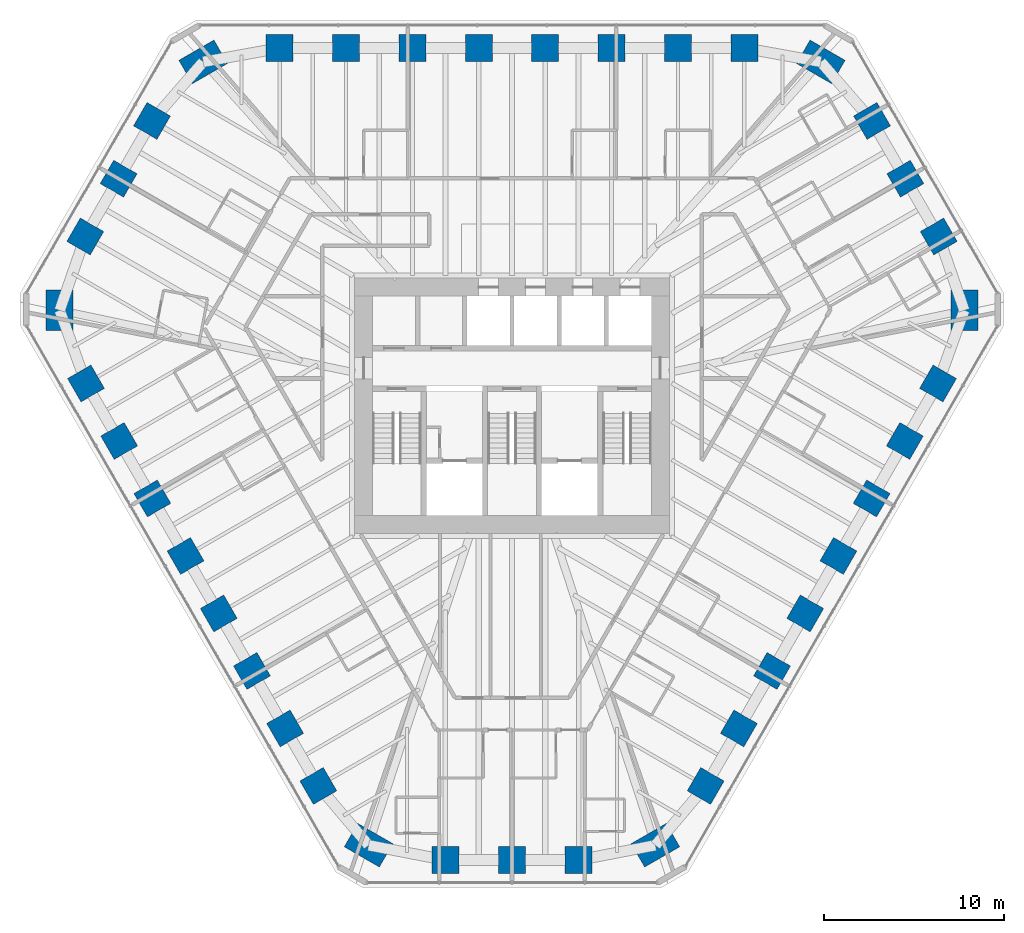
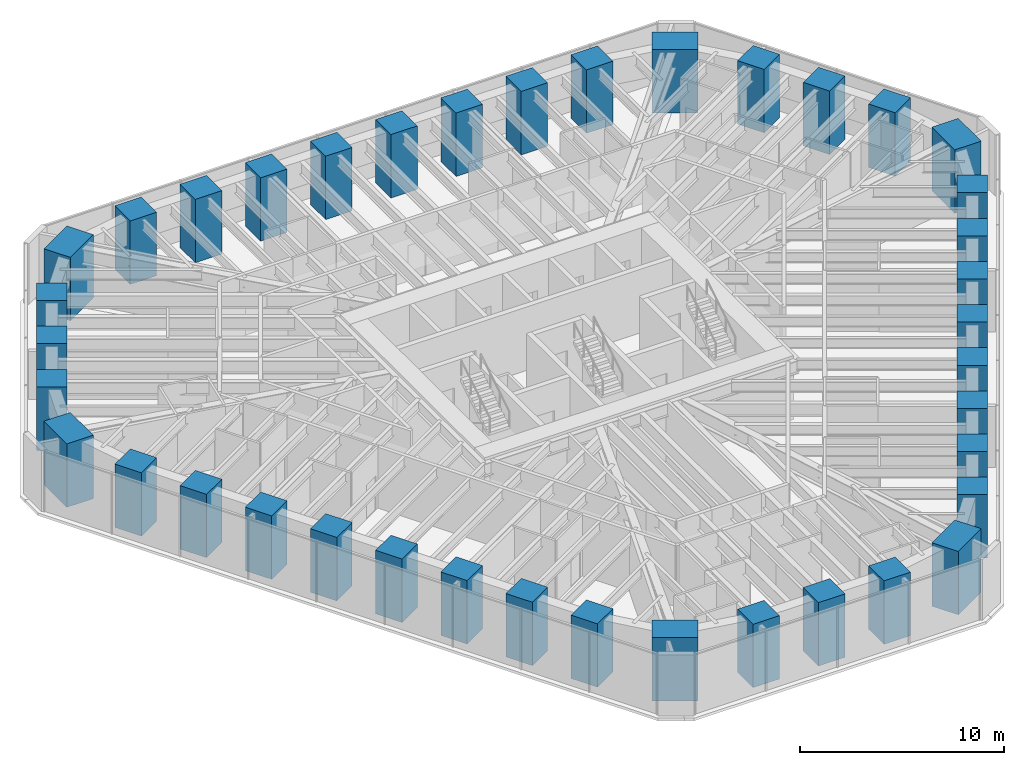
# One storey, part 1 of 17: 39 columns.
"""IFC4 building model written with IfcOpenShell, lengths in metres."""

from ifc_helpers import new_model, si_unit, direction, frame, origin, origin_2d, place, context, subcontext, project, spatial, rectangle, extrude, material, material_profile, profile_set, type_object, element, save


model = new_model("IFC4")

# Units and contexts
model_context = context("Model", 3, precision=1e-05, world=origin(), true_north=direction((0.0, 1.0)))
body_context = subcontext(model_context, "Body", "Model", "MODEL_VIEW")
ifc_project = project(units=[si_unit("LENGTHUNIT", "METRE"), si_unit("AREAUNIT", "SQUARE_METRE"), si_unit("VOLUMEUNIT", "CUBIC_METRE"), si_unit("PLANEANGLEUNIT", "RADIAN"), si_unit("MASSUNIT", "GRAM", prefix="KILO")], contexts=[model_context])

# Site, building, storey
site_placement = place(None, origin())
site = spatial("IfcSite", under=ifc_project, at=site_placement, CompositionType="ELEMENT")
building_placement = place(site_placement, origin())
building = spatial("IfcBuilding", under=site, at=building_placement, Name="Sandreach Pilgrim Tower", CompositionType="ELEMENT")
storey_placement = place(building_placement, frame((0.0, 0.0, 217.39990234375)))
storey = spatial("IfcBuildingStorey", under=building, at=storey_placement, Name="L54", CompositionType="ELEMENT", Elevation=217.39990234375)

# Columns
ifc_material_1 = material(Name="Concrete 10000 psi", Category="concrete")
ifc_material_profile_1 = material_profile(ifc_material_1, rectangle(XDim=1.5, YDim=1.5, at=origin_2d()), Name="RC1500X1500")
ifc_profile_set_1 = profile_set([ifc_material_profile_1], Name="Concrete 10000 psi")
column_type_1 = type_object("IfcColumnType", Name="Tube column RC1500X1500", PredefinedType="COLUMN", material=ifc_profile_set_1)
for number, where, z_axis, x_axis, name in (
    (1, (-12.923828125, 19.900146484375, 0.0), (0.0, 0.0, 1.0), (0.0, 1.0, 0.0), "COL L54 T01"),
    (2, (-9.231201171875, 19.900146484375, 0.0), (0.0, 0.0, 1.0), (0.0, 1.0, 0.0), "COL L54 T02"),
    (3, (-5.538818359375, 19.900146484375, 0.0), (0.0, 0.0, 1.0), (0.0, 1.0, 0.0), "COL L54 T03"),
    (4, (-1.84619140625, 19.900146484375, 0.0), (0.0, 0.0, 1.0), (0.0, 1.0, 0.0), "COL L54 T04"),
    (5, (1.84619140625, 19.900146484375, 0.0), (0.0, 0.0, 1.0), (0.0, 1.0, 0.0), "COL L54 T05"),
    (6, (5.538818359375, 19.900146484375, 0.0), (0.0, 0.0, 1.0), (0.0, 1.0, 0.0), "COL L54 T06"),
    (7, (9.231201171875, 19.900146484375, 0.0), (0.0, 0.0, 1.0), (0.0, 1.0, 0.0), "COL L54 T07"),
    (8, (12.923828125, 19.900146484375, 0.0), (0.0, 0.0, 1.0), (0.0, 1.0, 0.0), "COL L54 T08"),
    (9, (20.025146484375, 15.845947265625, 0.0), (0.0, 0.0, 1.0), (0.866025403784, 0.5, 0.0), "COL L54 T10"),
    (10, (21.88037109375, 12.632568359375, 0.0), (0.0, 0.0, 1.0), (0.866025403784, 0.5, 0.0), "COL L54 T11"),
    (11, (23.7353515625, 9.419189453125, 0.0), (0.0, 0.0, 1.0), (0.866025403784, 0.5, 0.0), "COL L54 T12"),
    (12, (23.69580078125, 1.2421875, 0.0), (0.0, 0.0, 1.0), (0.866025403784, -0.5, 0.0), "COL L54 T14"),
    (13, (21.849609375, -1.95556640625, 0.0), (0.0, 0.0, 1.0), (0.866025403784, -0.5, 0.0), "COL L54 T15"),
    (14, (20.00341796875, -5.1533203125, 0.0), (0.0, 0.0, 1.0), (0.866025403784, -0.5, 0.0), "COL L54 T16"),
    (15, (18.1572265625, -8.35107421875, 0.0), (0.0, 0.0, 1.0), (0.866025403784, -0.5, 0.0), "COL L54 T17"),
    (16, (16.310791015625, -11.548828125, 0.0), (0.0, 0.0, 1.0), (0.866025403784, -0.5, 0.0), "COL L54 T18"),
    (17, (14.464599609375, -14.746826171875, 0.0), (0.0, 0.0, 1.0), (0.866025403784, -0.5, 0.0), "COL L54 T19"),
    (18, (12.618408203125, -17.944580078125, 0.0), (0.0, 0.0, 1.0), (0.866025403784, -0.5, 0.0), "COL L54 T20"),
    (19, (10.772216796875, -21.142333984375, 0.0), (0.0, 0.0, 1.0), (0.866025403784, -0.5, 0.0), "COL L54 T21"),
    (20, (3.71044921875, -25.26513671875, 0.0), (0.0, 0.0, 1.0), (0.0, -1.0, 0.0), "COL L54 T23"),
    (21, (0.0, -25.26513671875, 0.0), (0.0, 0.0, 1.0), (0.0, -1.0, 0.0), "COL L54 T24"),
    (22, (-3.71044921875, -25.26513671875, 0.0), (0.0, 0.0, 1.0), (0.0, -1.0, 0.0), "COL L54 T25"),
    (23, (-10.772216796875, -21.142333984375, 0.0), (0.0, 0.0, 1.0), (-0.866025403784, -0.5, 0.0), "COL L54 T27"),
    (24, (-12.618408203125, -17.944580078125, 0.0), (0.0, 0.0, 1.0), (-0.866025403784, -0.5, 0.0), "COL L54 T28"),
    (25, (-14.464599609375, -14.746826171875, 0.0), (0.0, 0.0, 1.0), (-0.866025403784, -0.5, 0.0), "COL L54 T29"),
    (26, (-16.310791015625, -11.548828125, 0.0), (0.0, 0.0, 1.0), (-0.866025403784, -0.5, 0.0), "COL L54 T30"),
    (27, (-18.1572265625, -8.35107421875, 0.0), (0.0, 0.0, 1.0), (-0.866025403784, -0.5, 0.0), "COL L54 T31"),
    (28, (-20.00341796875, -5.1533203125, 0.0), (0.0, 0.0, 1.0), (-0.866025403784, -0.5, 0.0), "COL L54 T32"),
    (29, (-21.849609375, -1.95556640625, 0.0), (0.0, 0.0, 1.0), (-0.866025403784, -0.5, 0.0), "COL L54 T33"),
    (30, (-23.69580078125, 1.2421875, 0.0), (0.0, 0.0, 1.0), (-0.866025403784, -0.5, 0.0), "COL L54 T34"),
    (31, (-23.7353515625, 9.419189453125, 0.0), (0.0, 0.0, 1.0), (-0.866025403784, 0.5, 0.0), "COL L54 T36"),
    (32, (-21.88037109375, 12.632568359375, 0.0), (0.0, 0.0, 1.0), (-0.866025403784, 0.5, 0.0), "COL L54 T37"),
    (33, (-20.025146484375, 15.845947265625, 0.0), (0.0, 0.0, 1.0), (-0.866025403784, 0.5, 0.0), "COL L54 T38"),
):
    element("IfcColumn", number, at=place(storey_placement, frame(where, z_axis=z_axis, x_axis=x_axis)), inside=storey, type_object=column_type_1, Name=name, PredefinedType="COLUMN", context=body_context, shape_type="SweptSolid", body=[
        extrude(rectangle(XDim=1.5, YDim=1.5, at=origin_2d()), origin(), (0.0, 0.0, 1.0), 3.800048828125),
    ])
ifc_material_2 = material(Name="Concrete 10000 psi", Category="concrete")
ifc_material_profile_2 = material_profile(ifc_material_2, rectangle(XDim=1.5, YDim=2.25, at=origin_2d()), Name="RC1500X2250")
ifc_profile_set_2 = profile_set([ifc_material_profile_2], Name="Concrete 10000 psi")
column_type_2 = type_object("IfcColumnType", Name="Tube corner pier RC1500X2250", PredefinedType="COLUMN", material=ifc_profile_set_2)
for number, where, z_axis, x_axis, name in (
    (34, (17.177978515625, 19.130615234375, 0.0), (0.0, 0.0, 1.0), (0.5, 0.866025403784, 0.0), "COL L54 T09"),
    (35, (25.156494140625, 5.311279296875, 0.0), (0.0, 0.0, 1.0), (1.0, 0.0, 0.0), "COL L54 T13"),
    (36, (7.978515625, -24.44189453125, 0.0), (0.0, 0.0, 1.0), (0.5, -0.866025403784, 0.0), "COL L54 T22"),
    (37, (-7.978515625, -24.44189453125, 0.0), (0.0, 0.0, 1.0), (-0.5, -0.866025403784, 0.0), "COL L54 T26"),
    (38, (-25.156494140625, 5.311279296875, 0.0), (0.0, 0.0, 1.0), (-1.0, 0.0, 0.0), "COL L54 T35"),
    (39, (-17.177978515625, 19.130615234375, 0.0), (0.0, 0.0, 1.0), (-0.5, 0.866025403784, 0.0), "COL L54 T39"),
):
    element("IfcColumn", number, at=place(storey_placement, frame(where, z_axis=z_axis, x_axis=x_axis)), inside=storey, type_object=column_type_2, Name=name, PredefinedType="COLUMN", context=body_context, shape_type="SweptSolid", body=[
        extrude(rectangle(XDim=1.5, YDim=2.25, at=origin_2d()), origin(), (0.0, 0.0, 1.0), 3.800048828125),
    ])

save(model, "model.ifc")
